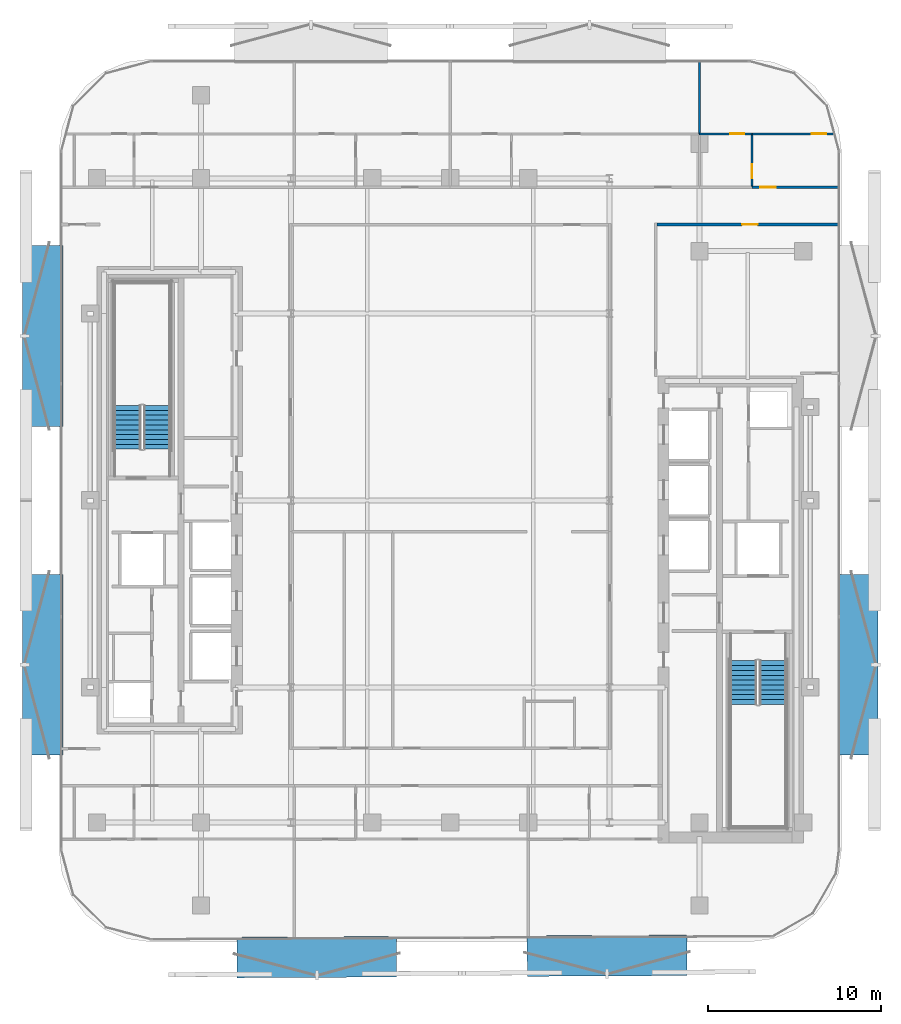
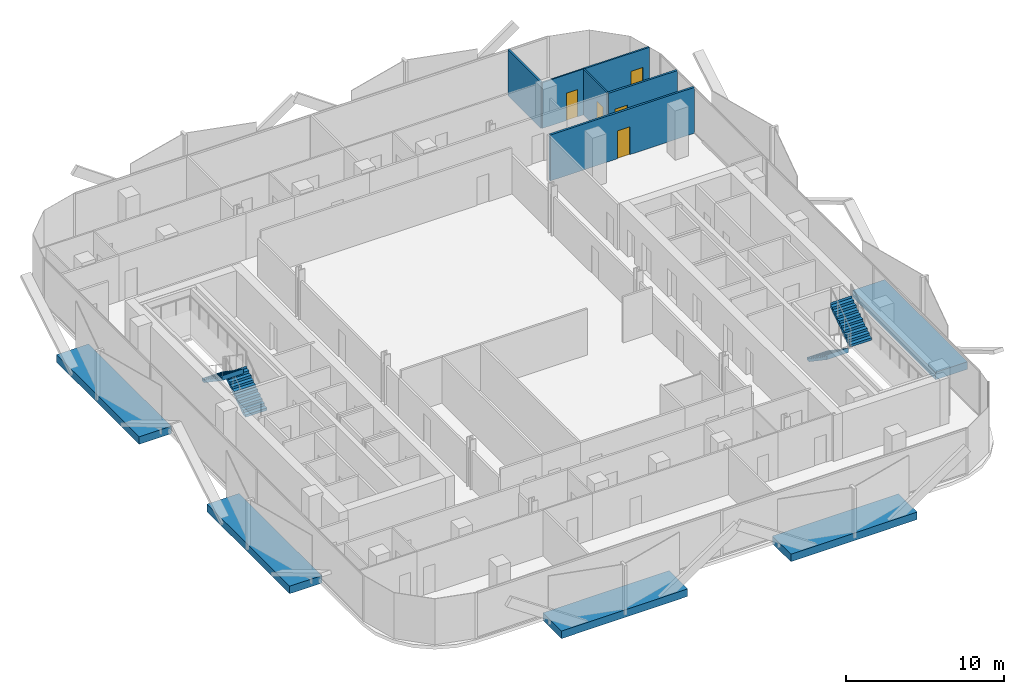
# One storey, part 7 of 17: 6 walls, 5 discrete accessories, 5 doors, 4 stair flights, 5 openings, 2 elements without a shape of their own.
"""IFC4 building model written with IfcOpenShell, lengths in metres."""

from ifc_helpers import new_model, si_unit, direction, frame, frame_2d, origin, origin_2d, place, context, subcontext, project, spatial, polyline, rectangle, outline, extrude, material, layer, layer_set, type_object, element, fill, aggregate, save


model = new_model("IFC4")

# Units and contexts
model_context = context("Model", 3, precision=1e-05, world=origin(), true_north=direction((0.0, 1.0)))
body_context = subcontext(model_context, "Body", "Model", "MODEL_VIEW")
ifc_project = project(units=[si_unit("LENGTHUNIT", "METRE"), si_unit("AREAUNIT", "SQUARE_METRE"), si_unit("VOLUMEUNIT", "CUBIC_METRE"), si_unit("PLANEANGLEUNIT", "RADIAN"), si_unit("MASSUNIT", "GRAM", prefix="KILO")], contexts=[model_context])

# Site, building, storey
site_placement = place(None, origin())
site = spatial("IfcSite", under=ifc_project, at=site_placement, CompositionType="ELEMENT")
building_placement = place(site_placement, origin())
building = spatial("IfcBuilding", under=site, at=building_placement, Name="Khairoan Windgate Tower", CompositionType="ELEMENT")
storey_placement = place(building_placement, frame((0.0, 0.0, 203.0)))
storey = spatial("IfcBuildingStorey", under=building, at=storey_placement, Name="L47", CompositionType="ELEMENT", Elevation=203.0)

# Wall, opening, door
ifc_material_1 = material(Name="Moisture-Resistant Gypsum Partition", Category="gypsum")
ifc_layer_1 = layer(ifc_material_1, 0.10009765625, Name="Moisture-Resistant Gypsum Partition")
ifc_layer_set_1 = layer_set([ifc_layer_1], Name="Moisture-Resistant Gypsum Partition")
wall_type_1 = type_object("IfcWallType", Name="Bathroom Wet-Area Partition Wall", PredefinedType="PARTITIONING", material=ifc_layer_set_1)
wall_1_placement = place(storey_placement, frame((17.43603515625, 18.155029296875, 0.0), z_axis=(0.0, 0.0, 1.0), x_axis=(0.0, 1.0, 0.0)))
wall_1 = element("IfcWall", 1, at=wall_1_placement, inside=storey, type_object=wall_type_1, Name="L47 Interior Partition 061", PredefinedType="PARTITIONING", context=body_context, shape_type="SweptSolid", body=[
    extrude(rectangle(XDim=2.965087890625, YDim=0.10009765625, at=frame_2d((1.482421875, 0.0))), origin(), (0.0, 0.0, 1.0), 3.5400390625),
])
opening_1_placement = place(wall_1_placement, frame((0.4599609375, 0.0, 0.0)))
opening_1 = element("IfcOpeningElement", 2, at=opening_1_placement, cuts=wall_1, Name="Opening ID-BTH", PredefinedType="OPENING", context=body_context, shape_type="SweptSolid", body=[
    extrude(rectangle(XDim=0.800048828125, YDim=2.10009765625, at=frame_2d((0.39990234375, 1.050048828125))), frame((0.0, 0.06005859375, 0.0), z_axis=(0.0, -1.0, 0.0), x_axis=(1.0, 0.0, 0.0)), (0.0, 0.0, 1.0), 0.1201171875),
])
ifc_material_2 = material(Name="Teak Veneer Timber Leaf", Category="wood")
door_type_1 = type_object("IfcDoorType", Name="Internal Bathroom Door ID-BTH 800x2100", OperationType="NOTDEFINED", PredefinedType="DOOR", material=ifc_material_2)
door_1_placement = place(opening_1_placement, origin())
door_1 = element("IfcDoor", 3, at=door_1_placement, inside=storey, type_object=door_type_1, Name="L47 L47-46-L47-47 Door", OperationType="SINGLE_SWING_LEFT", OverallHeight=2.10009765625, OverallWidth=0.800048828125, PredefinedType="DOOR", context=body_context, shape_type="SweptSolid", body=[
    extrude(rectangle(XDim=0.800048828125, YDim=2.10009765625, at=frame_2d((0.39990234375, 1.050048828125))), frame((0.0, 0.02490234375, 0.0), z_axis=(0.0, -1.0, 0.0), x_axis=(1.0, 0.0, 0.0)), (0.0, 0.0, 1.0), 0.050048828125),
])
fill(opening_1, door_1)

wall_2_placement = place(storey_placement, frame((14.39990234375, 21.169921875, 0.0), z_axis=(0.0, 0.0, 1.0), x_axis=(1.0, 0.0, 0.0)))
wall_2 = element("IfcWall", 4, at=wall_2_placement, inside=storey, type_object=wall_type_1, Name="L47 Interior Partition 062", PredefinedType="PARTITIONING", context=body_context, shape_type="SweptSolid", body=[
    extrude(rectangle(XDim=3.0361328125, YDim=0.10009765625, at=frame_2d((1.51806640625, 0.0))), origin(), (0.0, 0.0, 1.0), 3.5400390625),
])
opening_2_placement = place(wall_2_placement, frame((1.77587890625, 0.0, 0.0)))
opening_2 = element("IfcOpeningElement", 5, at=opening_2_placement, cuts=wall_2, Name="Opening ID-BTH", PredefinedType="OPENING", context=body_context, shape_type="SweptSolid", body=[
    extrude(rectangle(XDim=0.800048828125, YDim=2.10009765625, at=frame_2d((0.39990234375, 1.050048828125))), frame((0.0, 0.06005859375, 0.0), z_axis=(0.0, -1.0, 0.0), x_axis=(1.0, 0.0, 0.0)), (0.0, 0.0, 1.0), 0.1201171875),
])
door_2_placement = place(opening_2_placement, origin())
door_2 = element("IfcDoor", 6, at=door_2_placement, inside=storey, type_object=door_type_1, Name="L47 L47-46-L47-48 Door", OperationType="SINGLE_SWING_RIGHT", OverallHeight=2.10009765625, OverallWidth=0.800048828125, PredefinedType="DOOR", context=body_context, shape_type="SweptSolid", body=[
    extrude(rectangle(XDim=0.800048828125, YDim=2.10009765625, at=frame_2d((0.39990234375, 1.050048828125))), frame((0.0, 0.02490234375, 0.0), z_axis=(0.0, -1.0, 0.0), x_axis=(1.0, 0.0, 0.0)), (0.0, 0.0, 1.0), 0.050048828125),
])
fill(opening_2, door_2)

# Wall
ifc_material_3 = material(Name="Acoustic Fire-Rated Gypsum Partition", Category="gypsum")
ifc_layer_2 = layer(ifc_material_3, 0.139892578125, Name="Acoustic Fire-Rated Gypsum Partition")
ifc_layer_set_2 = layer_set([ifc_layer_2], Name="Acoustic Fire-Rated Gypsum Partition")
wall_type_2 = type_object("IfcWallType", Name="Inter-Tenancy Compartment Wall", PredefinedType="PARTITIONING", material=ifc_layer_set_2)
wall_3_placement = place(storey_placement, frame((14.39990234375, 21.169921875, 0.0), z_axis=(0.0, 0.0, 1.0), x_axis=(0.0, 1.0, 0.0)))
element("IfcWall", 7, at=wall_3_placement, inside=storey, type_object=wall_type_2, Name="L47 Interior Partition 060", PredefinedType="PARTITIONING", context=body_context, shape_type="SweptSolid", body=[
    extrude(rectangle(XDim=4.18505859375, YDim=0.139892578125, at=frame_2d((2.092529296875, 0.0))), origin(), (0.0, 0.0, 1.0), 3.5400390625),
])

# Wall, opening, door
ifc_material_4 = material(Name="Gypsum Stud Partition", Category="gypsum")
ifc_layer_3 = layer(ifc_material_4, 0.1201171875, Name="Gypsum Stud Partition")
ifc_layer_set_3 = layer_set([ifc_layer_3], Name="Gypsum Stud Partition")
wall_type_3 = type_object("IfcWallType", Name="Internal Room Partition Wall", PredefinedType="PARTITIONING", material=ifc_layer_set_3)
wall_4_placement = place(storey_placement, frame((17.43603515625, 21.169921875, 0.0), z_axis=(0.0, 0.0, 1.0), x_axis=(1.0, 0.0, 0.0)))
wall_4 = element("IfcWall", 8, at=wall_4_placement, inside=storey, type_object=wall_type_3, Name="L47 Interior Partition 063", PredefinedType="PARTITIONING", context=body_context, shape_type="SweptSolid", body=[
    extrude(rectangle(XDim=4.757080078125, YDim=0.1201171875, at=frame_2d((2.37841796875, 0.0))), origin(), (0.0, 0.0, 1.0), 3.5400390625),
])
opening_3_placement = place(wall_4_placement, frame((3.43701171875, 0.0, 0.0)))
opening_3 = element("IfcOpeningElement", 9, at=opening_3_placement, cuts=wall_4, Name="Opening ID-RM", PredefinedType="OPENING", context=body_context, shape_type="SweptSolid", body=[
    extrude(rectangle(XDim=0.860107421875, YDim=2.14990234375, at=frame_2d((0.43017578125, 1.074951171875))), frame((0.0, 0.070068359375, 0.0), z_axis=(0.0, -1.0, 0.0), x_axis=(1.0, 0.0, 0.0)), (0.0, 0.0, 1.0), 0.14013671875),
])
ifc_material_5 = material(Name="Teak Veneer Timber Leaf", Category="wood")
door_type_2 = type_object("IfcDoorType", Name="Internal Bedroom and Office Door ID-RM 860x2150", OperationType="NOTDEFINED", PredefinedType="DOOR", material=ifc_material_5)
door_3_placement = place(opening_3_placement, origin())
door_3 = element("IfcDoor", 10, at=door_3_placement, inside=storey, type_object=door_type_2, Name="L47 L47-47-L47-48 Door", OperationType="SINGLE_SWING_LEFT", OverallHeight=2.14990234375, OverallWidth=0.860107421875, PredefinedType="DOOR", context=body_context, shape_type="SweptSolid", body=[
    extrude(rectangle(XDim=0.860107421875, YDim=2.14990234375, at=frame_2d((0.43017578125, 1.074951171875))), frame((0.0, 0.02490234375, 0.0), z_axis=(0.0, -1.0, 0.0), x_axis=(1.0, 0.0, 0.0)), (0.0, 0.0, 1.0), 0.050048828125),
])
fill(opening_3, door_3)

ifc_material_6 = material(Name="Acoustic Fire-Rated Gypsum Partition", Category="gypsum")
ifc_layer_4 = layer(ifc_material_6, 0.14990234375, Name="Acoustic Fire-Rated Gypsum Partition")
ifc_layer_set_4 = layer_set([ifc_layer_4], Name="Acoustic Fire-Rated Gypsum Partition")
wall_type_4 = type_object("IfcWallType", Name="Rated Corridor Partition Wall", PredefinedType="PARTITIONING", material=ifc_layer_set_4)
wall_5_placement = place(storey_placement, frame((17.43603515625, 18.080078125, 0.0), z_axis=(0.0, 0.0, 1.0), x_axis=(1.0, 0.0, 0.0)))
wall_5 = element("IfcWall", 11, at=wall_5_placement, inside=storey, type_object=wall_type_4, Name="L47 Interior Partition 023", PredefinedType="PARTITIONING", context=body_context, shape_type="SweptSolid", body=[
    extrude(rectangle(XDim=5.01904296875, YDim=0.14990234375, at=frame_2d((2.509521484375, 0.0))), origin(), (0.0, 0.0, 1.0), 3.5400390625),
])
opening_4_placement = place(wall_5_placement, frame((0.4599609375, 0.0, 0.0)))
opening_4 = element("IfcOpeningElement", 12, at=opening_4_placement, cuts=wall_5, Name="Opening FD-ENT", PredefinedType="OPENING", context=body_context, shape_type="SweptSolid", body=[
    extrude(rectangle(XDim=0.89990234375, YDim=2.14990234375, at=frame_2d((0.449951171875, 1.074951171875))), frame((0.0, 0.0849609375, 0.0), z_axis=(0.0, -1.0, 0.0), x_axis=(1.0, 0.0, 0.0)), (0.0, 0.0, 1.0), 0.169921875),
])
ifc_material_7 = material(Name="Timber Fire-Rated Core", Category="wood")
door_type_3 = type_object("IfcDoorType", Name="Unit and Office Fire Entrance Door FD-ENT 900x2150", OperationType="NOTDEFINED", PredefinedType="DOOR", material=ifc_material_7)
door_4_placement = place(opening_4_placement, origin())
door_4 = element("IfcDoor", 13, at=door_4_placement, inside=storey, type_object=door_type_3, Name="L47 L47-29-L47-47 Door", OperationType="SINGLE_SWING_RIGHT", OverallHeight=2.14990234375, OverallWidth=0.89990234375, PredefinedType="DOOR", context=body_context, shape_type="SweptSolid", body=[
    extrude(rectangle(XDim=0.89990234375, YDim=2.14990234375, at=frame_2d((0.449951171875, 1.074951171875))), frame((0.0, 0.02490234375, 0.0), z_axis=(0.0, -1.0, 0.0), x_axis=(1.0, 0.0, 0.0)), (0.0, 0.0, 1.0), 0.050048828125),
])
fill(opening_4, door_4)

wall_6_placement = place(storey_placement, frame((11.955078125, 15.93994140625, 0.0), z_axis=(0.0, 0.0, 1.0), x_axis=(1.0, 0.0, 0.0)))
wall_6 = element("IfcWall", 14, at=wall_6_placement, inside=storey, type_object=wall_type_4, Name="L47 Interior Partition 024", PredefinedType="PARTITIONING", context=body_context, shape_type="SweptSolid", body=[
    extrude(rectangle(XDim=10.5, YDim=0.14990234375, at=frame_2d((5.25, 0.0))), origin(), (0.0, 0.0, 1.0), 3.5400390625),
])
opening_5_placement = place(wall_6_placement, frame((4.90087890625, 0.0, 0.0)))
opening_5 = element("IfcOpeningElement", 15, at=opening_5_placement, cuts=wall_6, Name="Opening FD-ENT", PredefinedType="OPENING", context=body_context, shape_type="SweptSolid", body=[
    extrude(rectangle(XDim=0.89990234375, YDim=2.14990234375, at=frame_2d((0.449951171875, 1.074951171875))), frame((0.0, 0.0849609375, 0.0), z_axis=(0.0, -1.0, 0.0), x_axis=(1.0, 0.0, 0.0)), (0.0, 0.0, 1.0), 0.169921875),
])
door_5_placement = place(opening_5_placement, origin())
door_5 = element("IfcDoor", 16, at=door_5_placement, inside=storey, type_object=door_type_3, Name="L47 L47-29-L47-58 Door", OperationType="SINGLE_SWING_LEFT", OverallHeight=2.14990234375, OverallWidth=0.89990234375, PredefinedType="DOOR", context=body_context, shape_type="SweptSolid", body=[
    extrude(rectangle(XDim=0.89990234375, YDim=2.14990234375, at=frame_2d((0.449951171875, 1.074951171875))), frame((0.0, 0.02490234375, 0.0), z_axis=(0.0, -1.0, 0.0), x_axis=(1.0, 0.0, 0.0)), (0.0, 0.0, 1.0), 0.050048828125),
])
fill(opening_5, door_5)

# Stair, stair flights
ifc_material_8 = material(Name="Concrete C40/50", Category="concrete")
stair_type = type_object("IfcStairType", Name="Tower Core Dog-Leg Stair ST-T1 1560mm", PredefinedType="HALF_TURN_STAIR", material=ifc_material_8)
stair_1_placement = place(storey_placement, origin())
stair_1 = element("IfcStair", 17, at=stair_1_placement, inside=storey, type_object=stair_type, Name="L47 Stair ST1", PredefinedType="HALF_TURN_STAIR")
ifc_material_9 = material(Name="Concrete C40/50", Category="concrete")
ifc_layer_5 = layer(ifc_material_9, 0.14990234375, Name="Concrete C40/50")
ifc_layer_set_5 = layer_set([ifc_layer_5], Name="Concrete C40/50")
stair_flight_type = type_object("IfcStairFlightType", Name="Tower Core Stair Flight STF-1560", PredefinedType="STRAIGHT", material=ifc_layer_set_5)
stair_flight_1_placement = place(storey_placement, frame((16.929931640625, -9.260009765625, 0.0), z_axis=(0.0, 0.0, 1.0), x_axis=(0.0, -1.0, 0.0)))
stair_flight_1 = element("IfcStairFlight", 18, at=stair_flight_1_placement, type_object=stair_flight_type, Name="ST1 flight 1", NumberOfRisers=10, NumberOfTreads=9, PredefinedType="STRAIGHT", RiserHeight=0.19, TreadLength=0.28, context=body_context, shape_type="SweptSolid", body=[
    extrude(outline(polyline([(-0.00390625, 0.0), (-0.00390625, 0.18994140625), (0.0, 0.18994140625), (0.280029296875, 0.18994140625), (0.280029296875, 0.3798828125), (0.56005859375, 0.3798828125), (0.56005859375, 0.570068359375), (0.840087890625, 0.570068359375), (0.840087890625, 0.760009765625), (1.1201171875, 0.760009765625), (1.1201171875, 0.949951171875), (1.39990234375, 0.949951171875), (1.39990234375, 1.139892578125), (1.679931640625, 1.139892578125), (1.679931640625, 1.330078125), (1.9599609375, 1.330078125), (1.9599609375, 1.52001953125), (2.239990234375, 1.52001953125), (2.239990234375, 1.7099609375), (2.52001953125, 1.7099609375), (2.52001953125, 1.89990234375), (2.52392578125, 1.89990234375), (2.52392578125, 1.52880859375), (0.266845703125, 0.0), (-0.00390625, 0.0)])), frame((0.0, 0.780029296875, 0.0), z_axis=(0.0, -1.0, 0.0), x_axis=(1.0, 0.0, 0.0)), (0.0, 0.0, 1.0), 1.56005859375),
])
stair_flight_2_placement = place(storey_placement, frame((18.639892578125, -11.780029296875, 1.89990234375), z_axis=(0.0, 0.0, 1.0), x_axis=(0.0, 1.0, 0.0)))
stair_flight_2 = element("IfcStairFlight", 19, at=stair_flight_2_placement, type_object=stair_flight_type, Name="ST1 flight 2", NumberOfRisers=10, NumberOfTreads=9, PredefinedType="STRAIGHT", RiserHeight=0.19, TreadLength=0.28, context=body_context, shape_type="SweptSolid", body=[
    extrude(outline(polyline([(-0.00390625, 0.0), (-0.00390625, 0.18994140625), (0.0, 0.18994140625), (0.280029296875, 0.18994140625), (0.280029296875, 0.3798828125), (0.56005859375, 0.3798828125), (0.56005859375, 0.570068359375), (0.840087890625, 0.570068359375), (0.840087890625, 0.760009765625), (1.1201171875, 0.760009765625), (1.1201171875, 0.949951171875), (1.39990234375, 0.949951171875), (1.39990234375, 1.139892578125), (1.679931640625, 1.139892578125), (1.679931640625, 1.330078125), (1.9599609375, 1.330078125), (1.9599609375, 1.52001953125), (2.239990234375, 1.52001953125), (2.239990234375, 1.7099609375), (2.52001953125, 1.7099609375), (2.52001953125, 1.89990234375), (2.52392578125, 1.89990234375), (2.52392578125, 1.52880859375), (0.266845703125, 0.0), (-0.00390625, 0.0)])), frame((0.0, 0.780029296875, 0.0), z_axis=(0.0, -1.0, 0.0), x_axis=(1.0, 0.0, 0.0)), (0.0, 0.0, 1.0), 1.56005859375),
])
aggregate(stair_1, [stair_flight_1, stair_flight_2])

stair_2_placement = place(storey_placement, origin())
stair_2 = element("IfcStair", 20, at=stair_2_placement, inside=storey, type_object=stair_type, Name="L47 Stair ST2", PredefinedType="HALF_TURN_STAIR")
stair_flight_3_placement = place(storey_placement, frame((-16.929931640625, 2.9599609375, 0.0), z_axis=(0.0, 0.0, 1.0), x_axis=(0.0, 1.0, 0.0)))
stair_flight_3 = element("IfcStairFlight", 21, at=stair_flight_3_placement, type_object=stair_flight_type, Name="ST2 flight 1", NumberOfRisers=10, NumberOfTreads=9, PredefinedType="STRAIGHT", RiserHeight=0.19, TreadLength=0.28, context=body_context, shape_type="SweptSolid", body=[
    extrude(outline(polyline([(-0.00390625, 0.0), (-0.00390625, 0.18994140625), (0.0, 0.18994140625), (0.280029296875, 0.18994140625), (0.280029296875, 0.3798828125), (0.56005859375, 0.3798828125), (0.56005859375, 0.570068359375), (0.840087890625, 0.570068359375), (0.840087890625, 0.760009765625), (1.1201171875, 0.760009765625), (1.1201171875, 0.949951171875), (1.39990234375, 0.949951171875), (1.39990234375, 1.139892578125), (1.679931640625, 1.139892578125), (1.679931640625, 1.330078125), (1.9599609375, 1.330078125), (1.9599609375, 1.52001953125), (2.239990234375, 1.52001953125), (2.239990234375, 1.7099609375), (2.52001953125, 1.7099609375), (2.52001953125, 1.89990234375), (2.52392578125, 1.89990234375), (2.52392578125, 1.52880859375), (0.266845703125, 0.0), (-0.00390625, 0.0)])), frame((0.0, 0.780029296875, 0.0), z_axis=(0.0, -1.0, 0.0), x_axis=(1.0, 0.0, 0.0)), (0.0, 0.0, 1.0), 1.56005859375),
])
stair_flight_4_placement = place(storey_placement, frame((-18.639892578125, 5.47998046875, 1.89990234375), z_axis=(0.0, 0.0, 1.0), x_axis=(0.0, -1.0, 0.0)))
stair_flight_4 = element("IfcStairFlight", 22, at=stair_flight_4_placement, type_object=stair_flight_type, Name="ST2 flight 2", NumberOfRisers=10, NumberOfTreads=9, PredefinedType="STRAIGHT", RiserHeight=0.19, TreadLength=0.28, context=body_context, shape_type="SweptSolid", body=[
    extrude(outline(polyline([(-0.00390625, 0.0), (-0.00390625, 0.18994140625), (0.0, 0.18994140625), (0.280029296875, 0.18994140625), (0.280029296875, 0.3798828125), (0.56005859375, 0.3798828125), (0.56005859375, 0.570068359375), (0.840087890625, 0.570068359375), (0.840087890625, 0.760009765625), (1.1201171875, 0.760009765625), (1.1201171875, 0.949951171875), (1.39990234375, 0.949951171875), (1.39990234375, 1.139892578125), (1.679931640625, 1.139892578125), (1.679931640625, 1.330078125), (1.9599609375, 1.330078125), (1.9599609375, 1.52001953125), (2.239990234375, 1.52001953125), (2.239990234375, 1.7099609375), (2.52001953125, 1.7099609375), (2.52001953125, 1.89990234375), (2.52392578125, 1.89990234375), (2.52392578125, 1.52880859375), (0.266845703125, 0.0), (-0.00390625, 0.0)])), frame((0.0, 0.780029296875, 0.0), z_axis=(0.0, -1.0, 0.0), x_axis=(1.0, 0.0, 0.0)), (0.0, 0.0, 1.0), 1.56005859375),
])
aggregate(stair_2, [stair_flight_3, stair_flight_4])

# Discrete accessories
ifc_material_10 = material(Name="Steel S355", Category="steel")
discrete_accessory_type = type_object("IfcDiscreteAccessoryType", Name="Solar Screen Outrigger Slab Bracket SSB-1", PredefinedType="BRACKET", material=ifc_material_10)
for number, where, z_axis, x_axis, name in (
    (23, (9.05908203125, -26.30029296875, -0.419921875), (0.0, 0.0, 1.0), (-0.999988059021, -0.004886902454, 0.0), "L47 Solar Screen Outrigger Bracket 313"),
    (24, (-7.7041015625, -26.3828125, -0.419921875), (0.0, 0.0, 1.0), (-0.999988059021, -0.004886902454, 0.0), "L47 Solar Screen Outrigger Bracket 314"),
):
    element("IfcDiscreteAccessory", number, at=place(storey_placement, frame(where, z_axis=z_axis, x_axis=x_axis)), inside=storey, type_object=discrete_accessory_type, Name=name, PredefinedType="BRACKET", context=body_context, shape_type="SweptSolid", body=[
        extrude(rectangle(XDim=9.219970703125, YDim=2.340087890625, at=origin_2d()), origin(), (0.0, 0.0, 1.0), 0.580078125),
    ])
for number, where, z_axis, x_axis, name in (
    (25, (-23.530029296875, -9.495361328125, -0.419921875), (0.0, 0.0, 1.0), (0.0, 1.0, 0.0), "L47 Solar Screen Outrigger Bracket 315"),
    (26, (-23.530029296875, 9.495361328125, -0.419921875), (0.0, 0.0, 1.0), (0.0, 1.0, 0.0), "L47 Solar Screen Outrigger Bracket 316"),
    (27, (23.530029296875, -9.495361328125, -0.419921875), (0.0, 0.0, 1.0), (0.0, -1.0, 0.0), "L47 Solar Screen Outrigger Bracket 320"),
):
    element("IfcDiscreteAccessory", number, at=place(storey_placement, frame(where, z_axis=z_axis, x_axis=x_axis)), inside=storey, type_object=discrete_accessory_type, Name=name, PredefinedType="BRACKET", context=body_context, shape_type="SweptSolid", body=[
        extrude(rectangle(XDim=10.445068359375, YDim=2.340087890625, at=origin_2d()), origin(), (0.0, 0.0, 1.0), 0.580078125),
    ])

save(model, "model.ifc")
